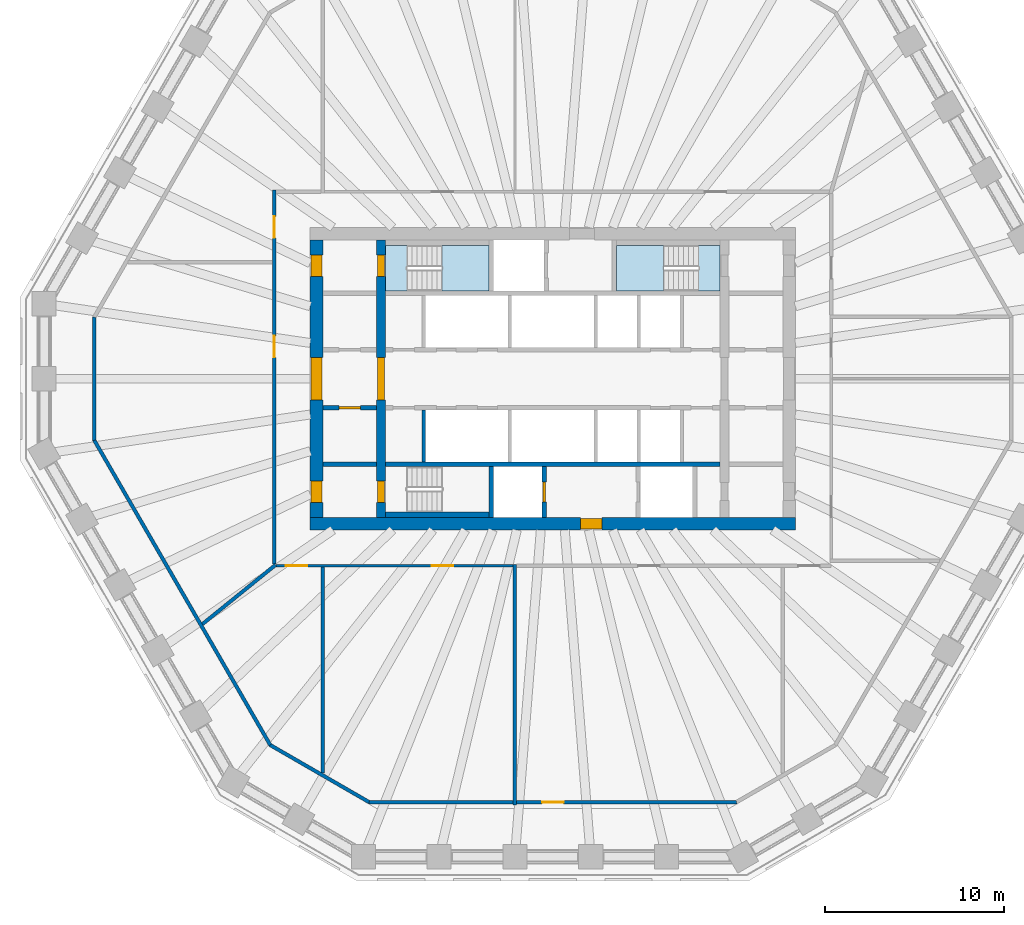
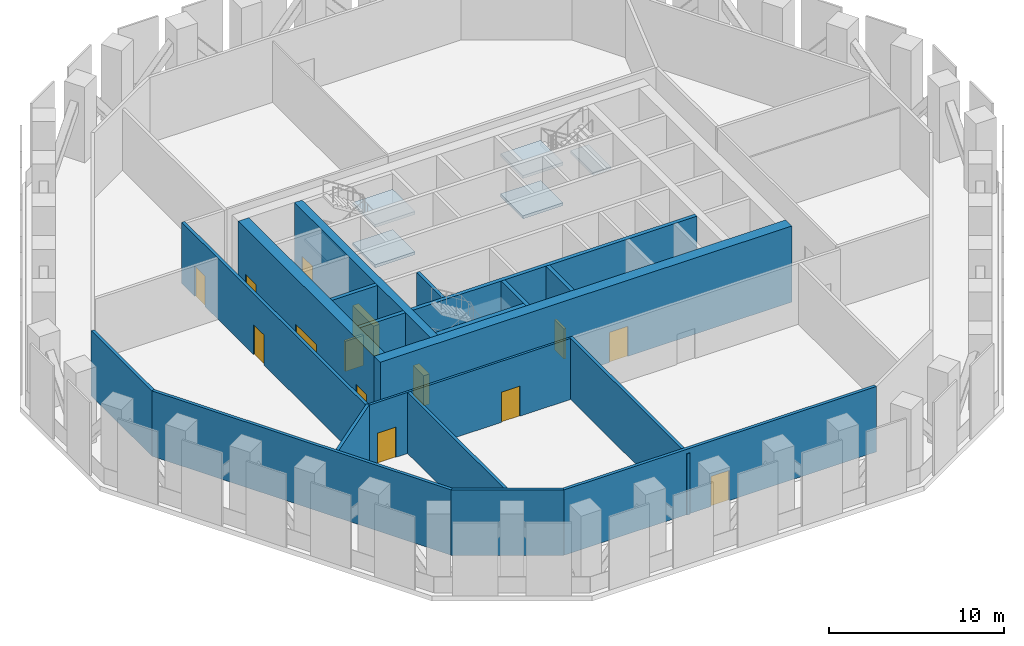
# One storey, part 3 of 8: 19 walls, 14 doors, 6 slabs, 14 openings, 2 elements without a shape of their own.
"""IFC4 building model written with IfcOpenShell, lengths in metres."""

from ifc_helpers import new_model, si_unit, direction, frame, frame_2d, origin, place, context, subcontext, project, spatial, polyline, rectangle, outline, extrude, material, layer, layer_set, type_object, element, fill, aggregate, save


model = new_model("IFC4")

# Units and contexts
model_context = context("Model", 3, precision=1e-05, world=origin(), true_north=direction((0.0, 1.0)))
body_context = subcontext(model_context, "Body", "Model", "MODEL_VIEW")
ifc_project = project(units=[si_unit("LENGTHUNIT", "METRE"), si_unit("AREAUNIT", "SQUARE_METRE"), si_unit("VOLUMEUNIT", "CUBIC_METRE"), si_unit("PLANEANGLEUNIT", "RADIAN"), si_unit("MASSUNIT", "GRAM", prefix="KILO")], contexts=[model_context])

# Site, building, storey
site_placement = place(None, origin())
site = spatial("IfcSite", under=ifc_project, at=site_placement, CompositionType="ELEMENT")
building_placement = place(site_placement, origin())
building = spatial("IfcBuilding", under=site, at=building_placement, Name="Frailejon Research Tower", CompositionType="ELEMENT")
storey_placement = place(building_placement, frame((0.0, 0.0, 139.60009765625)))
storey = spatial("IfcBuildingStorey", under=building, at=storey_placement, Name="L30", CompositionType="ELEMENT", Elevation=139.60009765625)

# Stair, slabs
ifc_material_1 = material(Name="Concrete C50/60", Category="concrete")
stair_type = type_object("IfcStairType", Name="Exit stair 32 risers", PredefinedType="HALF_TURN_STAIR", material=ifc_material_1)
stair_1_placement = place(storey_placement, origin())
stair_1 = element("IfcStair", 1, at=stair_1_placement, inside=storey, type_object=stair_type, Name="L30 Exit stair ST1", PredefinedType="HALF_TURN_STAIR")
ifc_material_2 = material(Name="Concrete C50/60", Category="concrete")
ifc_layer_1 = layer(ifc_material_2, 0.199951171875)
ifc_layer_set_1 = layer_set([ifc_layer_1], Name="Stair landing slab 200")
slab_type = type_object("IfcSlabType", Name="Stair landing slab 200", PredefinedType="LANDING", material=ifc_layer_set_1)
slab_1_placement = place(storey_placement, frame((0.0, 0.0, 1.199951171875)))
slab_1 = element("IfcSlab", 2, at=slab_1_placement, type_object=slab_type, Name="ST1 landing 1", PredefinedType="LANDING", context=body_context, shape_type="SweptSolid", body=[
    extrude(outline(polyline([(-6.18994140625, 4.89990234375), (-3.550048828125, 4.89990234375), (-3.550048828125, 7.449951171875), (-6.18994140625, 7.449951171875), (-6.18994140625, 4.89990234375)])), origin(), (0.0, 0.0, 1.0), 0.199951171875),
])
slab_2_placement = place(storey_placement, frame((0.0, 0.0, 2.599853515625)))
slab_2 = element("IfcSlab", 3, at=slab_2_placement, type_object=slab_type, Name="ST1 landing 2", PredefinedType="LANDING", context=body_context, shape_type="SweptSolid", body=[
    extrude(outline(polyline([(-9.35009765625, 4.89990234375), (-8.14990234375, 4.89990234375), (-8.14990234375, 7.449951171875), (-9.35009765625, 7.449951171875), (-9.35009765625, 4.89990234375)])), origin(), (0.0, 0.0, 1.0), 0.199951171875),
])
slab_3_placement = place(storey_placement, frame((0.0, 0.0, 4.0)))
slab_3 = element("IfcSlab", 4, at=slab_3_placement, type_object=slab_type, Name="ST1 landing 3", PredefinedType="LANDING", context=body_context, shape_type="SweptSolid", body=[
    extrude(outline(polyline([(-6.18994140625, 4.89990234375), (-3.550048828125, 4.89990234375), (-3.550048828125, 7.449951171875), (-6.18994140625, 7.449951171875), (-6.18994140625, 4.89990234375)])), origin(), (0.0, 0.0, 1.0), 0.199951171875),
])
aggregate(stair_1, [slab_1, slab_2, slab_3])

stair_2_placement = place(storey_placement, origin())
stair_2 = element("IfcStair", 5, at=stair_2_placement, inside=storey, type_object=stair_type, Name="L30 Exit stair ST3", PredefinedType="HALF_TURN_STAIR")
slab_4_placement = place(storey_placement, frame((0.0, 0.0, 1.199951171875)))
slab_4 = element("IfcSlab", 6, at=slab_4_placement, type_object=slab_type, Name="ST3 landing 1", PredefinedType="LANDING", context=body_context, shape_type="SweptSolid", body=[
    extrude(outline(polyline([(6.18994140625, 7.449951171875), (3.550048828125, 7.449951171875), (3.550048828125, 4.89990234375), (6.18994140625, 4.89990234375), (6.18994140625, 7.449951171875)])), origin(), (0.0, 0.0, 1.0), 0.199951171875),
])
slab_5_placement = place(storey_placement, frame((0.0, 0.0, 2.599853515625)))
slab_5 = element("IfcSlab", 7, at=slab_5_placement, type_object=slab_type, Name="ST3 landing 2", PredefinedType="LANDING", context=body_context, shape_type="SweptSolid", body=[
    extrude(outline(polyline([(9.35009765625, 7.449951171875), (8.14990234375, 7.449951171875), (8.14990234375, 4.89990234375), (9.35009765625, 4.89990234375), (9.35009765625, 7.449951171875)])), origin(), (0.0, 0.0, 1.0), 0.199951171875),
])
slab_6_placement = place(storey_placement, frame((0.0, 0.0, 4.0)))
slab_6 = element("IfcSlab", 8, at=slab_6_placement, type_object=slab_type, Name="ST3 landing 3", PredefinedType="LANDING", context=body_context, shape_type="SweptSolid", body=[
    extrude(outline(polyline([(6.18994140625, 7.449951171875), (3.550048828125, 7.449951171875), (3.550048828125, 4.89990234375), (6.18994140625, 4.89990234375), (6.18994140625, 7.449951171875)])), origin(), (0.0, 0.0, 1.0), 0.199951171875),
])
aggregate(stair_2, [slab_4, slab_5, slab_6])

# Wall, openings, doors
ifc_material_3 = material(Name="Concrete C60/75", Category="concrete")
ifc_layer_2 = layer(ifc_material_3, 0.5)
ifc_layer_set_2 = layer_set([ifc_layer_2], Name="Core shear wall 500 C60/75")
wall_type_1 = type_object("IfcWallType", Name="Core shear wall 500 C60/75", PredefinedType="SHEAR", material=ifc_layer_set_2)
wall_1_placement = place(storey_placement, frame((-9.60009765625, -7.75, 0.0), z_axis=(0.0, 0.0, 1.0), x_axis=(0.0, 1.0, 0.0)))
wall_1 = element("IfcWall", 9, at=wall_1_placement, inside=storey, type_object=wall_type_1, Name="Core shear wall", PredefinedType="SHEAR", context=body_context, shape_type="SweptSolid", body=[
    extrude(rectangle(XDim=15.5, YDim=0.5, at=frame_2d((7.75, 0.0))), origin(), (0.0, 0.0, 1.0), 5.2998046875),
])
opening_1_placement = place(wall_1_placement, frame((6.550048828125, 0.0, 0.0)))
opening_1 = element("IfcOpeningElement", 10, at=opening_1_placement, cuts=wall_1, Name="Opening D2", PredefinedType="OPENING", context=body_context, shape_type="SweptSolid", body=[
    extrude(rectangle(XDim=2.39990234375, YDim=2.10009765625, at=frame_2d((1.199951171875, 1.050048828125))), frame((0.0, 0.260009765625, 0.0), z_axis=(0.0, -1.0, 0.0), x_axis=(1.0, 0.0, 0.0)), (0.0, 0.0, 1.0), 0.52001953125),
])
opening_2_placement = place(wall_1_placement, frame((13.449951171875, 0.0, 0.0)))
opening_2 = element("IfcOpeningElement", 11, at=opening_2_placement, cuts=wall_1, Name="Opening D1", PredefinedType="OPENING", context=body_context, shape_type="SweptSolid", body=[
    extrude(rectangle(XDim=1.199951171875, YDim=2.10009765625, at=frame_2d((0.60009765625, 1.050048828125))), frame((0.0, 0.260009765625, 0.0), z_axis=(0.0, -1.0, 0.0), x_axis=(1.0, 0.0, 0.0)), (0.0, 0.0, 1.0), 0.52001953125),
])
opening_3_placement = place(wall_1_placement, frame((0.85009765625, 0.0, 0.0)))
opening_3 = element("IfcOpeningElement", 12, at=opening_3_placement, cuts=wall_1, Name="Opening D1", PredefinedType="OPENING", context=body_context, shape_type="SweptSolid", body=[
    extrude(rectangle(XDim=1.199951171875, YDim=2.10009765625, at=frame_2d((0.60009765625, 1.050048828125))), frame((0.0, 0.260009765625, 0.0), z_axis=(0.0, -1.0, 0.0), x_axis=(1.0, 0.0, 0.0)), (0.0, 0.0, 1.0), 0.52001953125),
])
ifc_material_4 = material(Name="Steel", Category="steel")
door_type_1 = type_object("IfcDoorType", Name="Lobby double door", OperationType="DOUBLE_DOOR_SINGLE_SWING", PredefinedType="DOOR", material=ifc_material_4)
door_1_placement = place(opening_1_placement, origin())
door_1 = element("IfcDoor", 13, at=door_1_placement, inside=storey, type_object=door_type_1, Name="Lobby door", OperationType="DOUBLE_DOOR_SINGLE_SWING", OverallHeight=2.10009765625, OverallWidth=2.39990234375, PredefinedType="DOOR", context=body_context, shape_type="SweptSolid", body=[
    extrude(rectangle(XDim=2.39990234375, YDim=2.10009765625, at=frame_2d((1.199951171875, 1.050048828125))), frame((0.0, 0.199951171875, 0.0), z_axis=(0.0, -1.0, 0.0), x_axis=(1.0, 0.0, 0.0)), (0.0, 0.0, 1.0), 0.39990234375),
])
fill(opening_1, door_1)
ifc_material_5 = material(Name="Steel", Category="steel")
door_type_2 = type_object("IfcDoorType", Name="Stair door", OperationType="SINGLE_SWING_LEFT", PredefinedType="DOOR", material=ifc_material_5)
door_2_placement = place(opening_2_placement, origin())
door_2 = element("IfcDoor", 14, at=door_2_placement, inside=storey, type_object=door_type_2, Name="Stair door ST1", OperationType="SINGLE_SWING_RIGHT", OverallHeight=2.10009765625, OverallWidth=1.199951171875, PredefinedType="DOOR", context=body_context, shape_type="SweptSolid", body=[
    extrude(rectangle(XDim=1.199951171875, YDim=2.10009765625, at=frame_2d((0.60009765625, 1.050048828125))), frame((0.0, 0.199951171875, 0.0), z_axis=(0.0, -1.0, 0.0), x_axis=(1.0, 0.0, 0.0)), (0.0, 0.0, 1.0), 0.39990234375),
])
fill(opening_2, door_2)
door_3_placement = place(opening_3_placement, origin())
door_3 = element("IfcDoor", 15, at=door_3_placement, inside=storey, type_object=door_type_2, Name="Stair door ST2", OperationType="SINGLE_SWING_RIGHT", OverallHeight=2.10009765625, OverallWidth=1.199951171875, PredefinedType="DOOR", context=body_context, shape_type="SweptSolid", body=[
    extrude(rectangle(XDim=1.199951171875, YDim=2.10009765625, at=frame_2d((0.60009765625, 1.050048828125))), frame((0.0, 0.199951171875, 0.0), z_axis=(0.0, -1.0, 0.0), x_axis=(1.0, 0.0, 0.0)), (0.0, 0.0, 1.0), 0.39990234375),
])
fill(opening_3, door_3)

# Wall, opening, door
ifc_material_6 = material(Name="Concrete C60/75", Category="concrete")
ifc_layer_3 = layer(ifc_material_6, 0.699951171875)
ifc_layer_set_3 = layer_set([ifc_layer_3], Name="Core shear wall 700 C60/75")
wall_type_2 = type_object("IfcWallType", Name="Core shear wall 700 C60/75", PredefinedType="SHEAR", material=ifc_layer_set_3)
wall_2_placement = place(storey_placement, frame((-13.550048828125, -8.10009765625, 0.0), z_axis=(0.0, 0.0, 1.0), x_axis=(1.0, 0.0, 0.0)))
wall_2 = element("IfcWall", 16, at=wall_2_placement, inside=storey, type_object=wall_type_2, Name="Core shear wall", PredefinedType="SHEAR", context=body_context, shape_type="SweptSolid", body=[
    extrude(rectangle(XDim=27.10009765625, YDim=0.699951171875, at=frame_2d((13.550048828125, 0.0))), origin(), (0.0, 0.0, 1.0), 5.2998046875),
])
opening_4_placement = place(wall_2_placement, frame((15.10009765625, 0.0, 0.0)))
opening_4 = element("IfcOpeningElement", 17, at=opening_4_placement, cuts=wall_2, Name="Opening D3", PredefinedType="OPENING", context=body_context, shape_type="SweptSolid", body=[
    extrude(rectangle(XDim=1.199951171875, YDim=2.10009765625, at=frame_2d((0.60009765625, 1.050048828125))), frame((0.0, 0.35986328125, 0.0), z_axis=(0.0, -1.0, 0.0), x_axis=(1.0, 0.0, 0.0)), (0.0, 0.0, 1.0), 0.719970703125),
])
ifc_material_7 = material(Name="Steel", Category="steel")
door_type_3 = type_object("IfcDoorType", Name="Firefighting lobby door", OperationType="SINGLE_SWING_LEFT", PredefinedType="DOOR", material=ifc_material_7)
door_4_placement = place(opening_4_placement, origin())
door_4 = element("IfcDoor", 18, at=door_4_placement, inside=storey, type_object=door_type_3, Name="Firefighting lobby door", OperationType="SINGLE_SWING_RIGHT", OverallHeight=2.10009765625, OverallWidth=1.199951171875, PredefinedType="DOOR", context=body_context, shape_type="SweptSolid", body=[
    extrude(rectangle(XDim=1.199951171875, YDim=2.10009765625, at=frame_2d((0.60009765625, 1.050048828125))), frame((0.0, 0.300048828125, 0.0), z_axis=(0.0, -1.0, 0.0), x_axis=(1.0, 0.0, 0.0)), (0.0, 0.0, 1.0), 0.60009765625),
])
fill(opening_4, door_4)

# Wall, openings, doors
wall_3_placement = place(storey_placement, frame((-13.199951171875, -7.75, 0.0), z_axis=(0.0, 0.0, 1.0), x_axis=(0.0, 1.0, 0.0)))
wall_3 = element("IfcWall", 19, at=wall_3_placement, inside=storey, type_object=wall_type_2, Name="Core shear wall", PredefinedType="SHEAR", context=body_context, shape_type="SweptSolid", body=[
    extrude(rectangle(XDim=15.5, YDim=0.699951171875, at=frame_2d((7.75, 0.0))), origin(), (0.0, 0.0, 1.0), 5.2998046875),
])
opening_5_placement = place(wall_3_placement, frame((6.550048828125, 0.0, 0.0)))
opening_5 = element("IfcOpeningElement", 20, at=opening_5_placement, cuts=wall_3, Name="Opening D2", PredefinedType="OPENING", context=body_context, shape_type="SweptSolid", body=[
    extrude(rectangle(XDim=2.39990234375, YDim=2.10009765625, at=frame_2d((1.199951171875, 1.050048828125))), frame((0.0, 0.35986328125, 0.0), z_axis=(0.0, -1.0, 0.0), x_axis=(1.0, 0.0, 0.0)), (0.0, 0.0, 1.0), 0.719970703125),
])
opening_6_placement = place(wall_3_placement, frame((13.449951171875, 0.0, 0.0)))
opening_6 = element("IfcOpeningElement", 21, at=opening_6_placement, cuts=wall_3, Name="Opening D7", PredefinedType="OPENING", context=body_context, shape_type="SweptSolid", body=[
    extrude(rectangle(XDim=1.199951171875, YDim=2.10009765625, at=frame_2d((0.60009765625, 1.050048828125))), frame((0.0, 0.35986328125, 0.0), z_axis=(0.0, -1.0, 0.0), x_axis=(1.0, 0.0, 0.0)), (0.0, 0.0, 1.0), 0.719970703125),
])
opening_7_placement = place(wall_3_placement, frame((0.85009765625, 0.0, 0.0)))
opening_7 = element("IfcOpeningElement", 22, at=opening_7_placement, cuts=wall_3, Name="Opening D7", PredefinedType="OPENING", context=body_context, shape_type="SweptSolid", body=[
    extrude(rectangle(XDim=1.199951171875, YDim=2.10009765625, at=frame_2d((0.60009765625, 1.050048828125))), frame((0.0, 0.35986328125, 0.0), z_axis=(0.0, -1.0, 0.0), x_axis=(1.0, 0.0, 0.0)), (0.0, 0.0, 1.0), 0.719970703125),
])
door_5_placement = place(opening_5_placement, origin())
door_5 = element("IfcDoor", 23, at=door_5_placement, inside=storey, type_object=door_type_1, Name="Lobby door", OperationType="DOUBLE_DOOR_SINGLE_SWING", OverallHeight=2.10009765625, OverallWidth=2.39990234375, PredefinedType="DOOR", context=body_context, shape_type="SweptSolid", body=[
    extrude(rectangle(XDim=2.39990234375, YDim=2.10009765625, at=frame_2d((1.199951171875, 1.050048828125))), frame((0.0, 0.300048828125, 0.0), z_axis=(0.0, -1.0, 0.0), x_axis=(1.0, 0.0, 0.0)), (0.0, 0.0, 1.0), 0.60009765625),
])
fill(opening_5, door_5)
ifc_material_8 = material(Name="Steel", Category="steel")
door_type_4 = type_object("IfcDoorType", Name="Stair exit door", OperationType="SINGLE_SWING_LEFT", PredefinedType="DOOR", material=ifc_material_8)
door_6_placement = place(opening_6_placement, origin())
door_6 = element("IfcDoor", 24, at=door_6_placement, inside=storey, type_object=door_type_4, Name="Stair exit door ST1", OperationType="SINGLE_SWING_LEFT", OverallHeight=2.10009765625, OverallWidth=1.199951171875, PredefinedType="DOOR", context=body_context, shape_type="SweptSolid", body=[
    extrude(rectangle(XDim=1.199951171875, YDim=2.10009765625, at=frame_2d((0.60009765625, 1.050048828125))), frame((0.0, 0.300048828125, 0.0), z_axis=(0.0, -1.0, 0.0), x_axis=(1.0, 0.0, 0.0)), (0.0, 0.0, 1.0), 0.60009765625),
])
fill(opening_6, door_6)
door_7_placement = place(opening_7_placement, origin())
door_7 = element("IfcDoor", 25, at=door_7_placement, inside=storey, type_object=door_type_4, Name="Stair exit door ST2", OperationType="SINGLE_SWING_LEFT", OverallHeight=2.10009765625, OverallWidth=1.199951171875, PredefinedType="DOOR", context=body_context, shape_type="SweptSolid", body=[
    extrude(rectangle(XDim=1.199951171875, YDim=2.10009765625, at=frame_2d((0.60009765625, 1.050048828125))), frame((0.0, 0.300048828125, 0.0), z_axis=(0.0, -1.0, 0.0), x_axis=(1.0, 0.0, 0.0)), (0.0, 0.0, 1.0), 0.60009765625),
])
fill(opening_7, door_7)

ifc_material_9 = material(Name="Gypsum board and masonry partition", Category="masonry")
ifc_layer_4 = layer(ifc_material_9, 0.14990234375)
ifc_layer_set_4 = layer_set([ifc_layer_4], Name="Corridor wall EI 60, gypsum on steel studs 150")
wall_type_3 = type_object("IfcWallType", Name="Corridor wall EI 60, gypsum on steel studs 150", PredefinedType="PARTITIONING", material=ifc_layer_set_4)
wall_4_placement = place(storey_placement, frame((-15.449951171875, -10.449951171875, 0.0), z_axis=(0.0, 0.0, 1.0), x_axis=(1.0, 0.0, 0.0)))
wall_4 = element("IfcWall", 26, at=wall_4_placement, inside=storey, type_object=wall_type_3, Name="T:IW:L30:003", PredefinedType="PARTITIONING", context=body_context, shape_type="SweptSolid", body=[
    extrude(rectangle(XDim=13.23388671875, YDim=0.14990234375, at=frame_2d((6.616943359375, 0.0))), origin(), (0.0, 0.0, 1.0), 4.25),
])
opening_8_placement = place(wall_4_placement, frame((0.52783203125, 0.0, 0.0)))
opening_8 = element("IfcOpeningElement", 27, at=opening_8_placement, cuts=wall_4, Name="Opening D1115", PredefinedType="OPENING", context=body_context, shape_type="SweptSolid", body=[
    extrude(rectangle(XDim=1.199951171875, YDim=2.10009765625, at=frame_2d((0.60009765625, 1.050048828125))), frame((0.0, 0.0849609375, 0.0), z_axis=(0.0, -1.0, 0.0), x_axis=(1.0, 0.0, 0.0)), (0.0, 0.0, 1.0), 0.169921875),
])
opening_9_placement = place(wall_4_placement, frame((8.68994140625, 0.0, 0.0)))
opening_9 = element("IfcOpeningElement", 28, at=opening_9_placement, cuts=wall_4, Name="Opening D1116", PredefinedType="OPENING", context=body_context, shape_type="SweptSolid", body=[
    extrude(rectangle(XDim=1.199951171875, YDim=2.10009765625, at=frame_2d((0.60009765625, 1.050048828125))), frame((0.0, 0.0849609375, 0.0), z_axis=(0.0, -1.0, 0.0), x_axis=(1.0, 0.0, 0.0)), (0.0, 0.0, 1.0), 0.169921875),
])
ifc_material_10 = material(Name="Steel door leaf", Category="steel")
door_type_5 = type_object("IfcDoorType", Name="Door plant room, steel 1200", OperationType="NOTDEFINED", PredefinedType="DOOR", material=ifc_material_10)
door_8_placement = place(opening_8_placement, origin())
door_8 = element("IfcDoor", 29, at=door_8_placement, inside=storey, type_object=door_type_5, Name="D1115", OperationType="DOUBLE_DOOR_SINGLE_SWING", OverallHeight=2.10009765625, OverallWidth=1.199951171875, PredefinedType="DOOR", context=body_context, shape_type="SweptSolid", body=[
    extrude(rectangle(XDim=1.199951171875, YDim=2.10009765625, at=frame_2d((0.60009765625, 1.050048828125))), frame((0.0, 0.02490234375, 0.0), z_axis=(0.0, -1.0, 0.0), x_axis=(1.0, 0.0, 0.0)), (0.0, 0.0, 1.0), 0.050048828125),
])
fill(opening_8, door_8)
ifc_material_11 = material(Name="Timber door leaf", Category="wood")
door_type_6 = type_object("IfcDoorType", Name="Door single leaf, timber, steel frame 1200", OperationType="NOTDEFINED", PredefinedType="DOOR", material=ifc_material_11)
door_9_placement = place(opening_9_placement, origin())
door_9 = element("IfcDoor", 30, at=door_9_placement, inside=storey, type_object=door_type_6, Name="D1116", OperationType="DOUBLE_DOOR_SINGLE_SWING", OverallHeight=2.10009765625, OverallWidth=1.199951171875, PredefinedType="DOOR", context=body_context, shape_type="SweptSolid", body=[
    extrude(rectangle(XDim=1.199951171875, YDim=2.10009765625, at=frame_2d((0.60009765625, 1.050048828125))), frame((0.0, 0.02490234375, 0.0), z_axis=(0.0, -1.0, 0.0), x_axis=(1.0, 0.0, 0.0)), (0.0, 0.0, 1.0), 0.050048828125),
])
fill(opening_9, door_9)

# Walls
ifc_material_12 = material(Name="Aluminium louvre panel wall", Category="aluminium")
ifc_layer_5 = layer(ifc_material_12, 0.199951171875)
ifc_layer_set_5 = layer_set([ifc_layer_5], Name="Louvred plant wall 200")
wall_type_4 = type_object("IfcWallType", Name="Louvred plant wall 200", PredefinedType="SOLIDWALL", material=ifc_layer_set_5)
wall_5_placement = place(storey_placement, frame((-25.61279296875, 3.437255859375, 0.0), z_axis=(0.0, 0.0, 1.0), x_axis=(0.0, -1.0, 0.0)))
element("IfcWall", 31, at=wall_5_placement, inside=storey, type_object=wall_type_4, Name="Plant louvre wall L30", PredefinedType="SOLIDWALL", context=body_context, shape_type="SweptSolid", body=[
    extrude(outline(polyline([(-0.02685546875, -0.10009765625), (6.9013671875, -0.10009765625), (6.84765625, 0.10009765625), (0.02685546875, 0.10009765625), (-0.02685546875, -0.10009765625)])), origin(), (0.0, 0.0, 1.0), 4.5498046875),
])
wall_6_placement = place(storey_placement, frame((-25.61279296875, -3.437255859375, 0.0), z_axis=(0.0, 0.0, 1.0), x_axis=(0.499999083763, -0.866025932773, 0.0)))
element("IfcWall", 32, at=wall_6_placement, inside=storey, type_object=wall_type_4, Name="Plant louvre wall L30", PredefinedType="SOLIDWALL", context=body_context, shape_type="SweptSolid", body=[
    extrude(outline(polyline([(-0.02685546875, -0.10009765625), (19.68603515625, -0.10009765625), (19.63232421875, 0.10009765625), (0.02685546875, 0.10009765625), (-0.02685546875, -0.10009765625)])), origin(), (0.0, 0.0, 1.0), 4.5498046875),
])
wall_7_placement = place(storey_placement, frame((-15.783203125, -20.462646484375, 0.0), z_axis=(0.0, 0.0, 1.0), x_axis=(0.866026138243, -0.499998727878, 0.0)))
element("IfcWall", 33, at=wall_7_placement, inside=storey, type_object=wall_type_4, Name="Plant louvre wall L30", PredefinedType="SOLIDWALL", context=body_context, shape_type="SweptSolid", body=[
    extrude(outline(polyline([(-0.02685546875, -0.10009765625), (6.4013671875, -0.10009765625), (6.34765625, 0.10009765625), (0.02685546875, 0.10009765625), (-0.02685546875, -0.10009765625)])), origin(), (0.0, 0.0, 1.0), 4.5498046875),
])

# Wall, opening, door
wall_8_placement = place(storey_placement, frame((-10.2626953125, -23.64990234375, 0.0), z_axis=(0.0, 0.0, 1.0), x_axis=(1.0, 0.0, 0.0)))
wall_8 = element("IfcWall", 34, at=wall_8_placement, inside=storey, type_object=wall_type_4, Name="Plant louvre wall L30", PredefinedType="SOLIDWALL", context=body_context, shape_type="SweptSolid", body=[
    extrude(outline(polyline([(-0.02685546875, -0.10009765625), (20.55224609375, -0.10009765625), (20.49853515625, 0.10009765625), (0.02685546875, 0.10009765625), (-0.02685546875, -0.10009765625)])), origin(), (0.0, 0.0, 1.0), 4.5498046875),
])
opening_10_placement = place(wall_8_placement, frame((9.66259765625, 0.0, 0.0)))
opening_10 = element("IfcOpeningElement", 35, at=opening_10_placement, cuts=wall_8, Name="Opening PG30-2", PredefinedType="OPENING", context=body_context, shape_type="SweptSolid", body=[
    extrude(rectangle(XDim=1.199951171875, YDim=2.10009765625, at=frame_2d((0.60009765625, 1.050048828125))), frame((0.0, 0.10986328125, 0.0), z_axis=(0.0, -1.0, 0.0), x_axis=(1.0, 0.0, 0.0)), (0.0, 0.0, 1.0), 0.219970703125),
])
ifc_material_13 = material(Name="Steel door leaf", Category="steel")
door_type_7 = type_object("IfcDoorType", Name="Plant gallery door 1200x2100", OperationType="SINGLE_SWING_RIGHT", PredefinedType="DOOR", material=ifc_material_13)
door_10_placement = place(opening_10_placement, origin())
door_10 = element("IfcDoor", 36, at=door_10_placement, inside=storey, type_object=door_type_7, Name="Door PG30-2", OperationType="SINGLE_SWING_RIGHT", OverallHeight=2.10009765625, OverallWidth=1.199951171875, PredefinedType="DOOR", context=body_context, shape_type="SweptSolid", body=[
    extrude(rectangle(XDim=1.199951171875, YDim=2.10009765625, at=frame_2d((0.60009765625, 1.050048828125))), frame((0.0, 0.02490234375, 0.0), z_axis=(0.0, -1.0, 0.0), x_axis=(1.0, 0.0, 0.0)), (0.0, 0.0, 1.0), 0.050048828125),
])
fill(opening_10, door_10)

# Wall, openings, doors
ifc_material_14 = material(Name="Gypsum board and masonry partition", Category="masonry")
ifc_layer_6 = layer(ifc_material_14, 0.199951171875)
ifc_layer_set_6 = layer_set([ifc_layer_6], Name="Plant enclosure wall, blockwork 200")
wall_type_5 = type_object("IfcWallType", Name="Plant enclosure wall, blockwork 200", PredefinedType="PARTITIONING", material=ifc_layer_set_6)
wall_9_placement = place(storey_placement, frame((-15.550048828125, -10.35009765625, 0.0), z_axis=(0.0, 0.0, 1.0), x_axis=(0.0, 1.0, 0.0)))
wall_9 = element("IfcWall", 37, at=wall_9_placement, inside=storey, type_object=wall_type_5, Name="T:IW:L30:009", PredefinedType="PARTITIONING", context=body_context, shape_type="SweptSolid", body=[
    extrude(rectangle(XDim=20.900146484375, YDim=0.199951171875, at=frame_2d((10.4501953125, 0.0))), origin(), (0.0, 0.0, 1.0), 4.25),
])
opening_11_placement = place(wall_9_placement, frame((18.226318359375, 0.0, 0.0)))
opening_11 = element("IfcOpeningElement", 38, at=opening_11_placement, cuts=wall_9, Name="Opening D1113", PredefinedType="OPENING", context=body_context, shape_type="SweptSolid", body=[
    extrude(rectangle(XDim=1.199951171875, YDim=2.10009765625, at=frame_2d((0.60009765625, 1.050048828125))), frame((0.0, 0.10986328125, 0.0), z_axis=(0.0, -1.0, 0.0), x_axis=(1.0, 0.0, 0.0)), (0.0, 0.0, 1.0), 0.219970703125),
])
opening_12_placement = place(wall_9_placement, frame((11.539306640625, 0.0, 0.0)))
opening_12 = element("IfcOpeningElement", 39, at=opening_12_placement, cuts=wall_9, Name="Opening D1114", PredefinedType="OPENING", context=body_context, shape_type="SweptSolid", body=[
    extrude(rectangle(XDim=1.199951171875, YDim=2.10009765625, at=frame_2d((0.60009765625, 1.050048828125))), frame((0.0, 0.10986328125, 0.0), z_axis=(0.0, -1.0, 0.0), x_axis=(1.0, 0.0, 0.0)), (0.0, 0.0, 1.0), 0.219970703125),
])
door_11_placement = place(opening_11_placement, origin())
door_11 = element("IfcDoor", 40, at=door_11_placement, inside=storey, type_object=door_type_5, Name="D1113", OperationType="DOUBLE_DOOR_SINGLE_SWING", OverallHeight=2.10009765625, OverallWidth=1.199951171875, PredefinedType="DOOR", context=body_context, shape_type="SweptSolid", body=[
    extrude(rectangle(XDim=1.199951171875, YDim=2.10009765625, at=frame_2d((0.60009765625, 1.050048828125))), frame((0.0, 0.02490234375, 0.0), z_axis=(0.0, -1.0, 0.0), x_axis=(1.0, 0.0, 0.0)), (0.0, 0.0, 1.0), 0.050048828125),
])
fill(opening_11, door_11)
door_12_placement = place(opening_12_placement, origin())
door_12 = element("IfcDoor", 41, at=door_12_placement, inside=storey, type_object=door_type_5, Name="D1114", OperationType="DOUBLE_DOOR_SINGLE_SWING", OverallHeight=2.10009765625, OverallWidth=1.199951171875, PredefinedType="DOOR", context=body_context, shape_type="SweptSolid", body=[
    extrude(rectangle(XDim=1.199951171875, YDim=2.10009765625, at=frame_2d((0.60009765625, 1.050048828125))), frame((0.0, 0.02490234375, 0.0), z_axis=(0.0, -1.0, 0.0), x_axis=(1.0, 0.0, 0.0)), (0.0, 0.0, 1.0), 0.050048828125),
])
fill(opening_12, door_12)

# Walls
wall_10_placement = place(storey_placement, frame((-12.8564453125, -22.037109375, 0.0), z_axis=(0.0, 0.0, 1.0), x_axis=(0.0, 1.0, 0.0)))
element("IfcWall", 42, at=wall_10_placement, inside=storey, type_object=wall_type_5, Name="T:IW:L30:013", PredefinedType="PARTITIONING", context=body_context, shape_type="SweptSolid", body=[
    extrude(rectangle(XDim=11.51220703125, YDim=0.199951171875, at=frame_2d((5.756103515625, 0.0))), origin(), (0.0, 0.0, 1.0), 4.25),
])
wall_11_placement = place(storey_placement, frame((-19.5693359375, -13.705078125, 0.0), z_axis=(0.0, 0.0, 1.0), x_axis=(0.777123499023, 0.629348128834, 0.0)))
element("IfcWall", 43, at=wall_11_placement, inside=storey, type_object=wall_type_5, Name="T:IW:L30:016", PredefinedType="PARTITIONING", context=body_context, shape_type="SweptSolid", body=[
    extrude(rectangle(XDim=5.2470703125, YDim=0.199951171875, at=frame_2d((2.62353515625, 0.0))), origin(), (0.0, 0.0, 1.0), 4.25),
])
wall_12_placement = place(storey_placement, frame((-2.115966796875, -23.800048828125, 0.0), z_axis=(0.0, 0.0, 1.0), x_axis=(0.0, 1.0, 0.0)))
element("IfcWall", 44, at=wall_12_placement, inside=storey, type_object=wall_type_5, Name="T:IW:L30:017", PredefinedType="PARTITIONING", context=body_context, shape_type="SweptSolid", body=[
    extrude(rectangle(XDim=13.425048828125, YDim=0.199951171875, at=frame_2d((6.71240234375, 0.0))), origin(), (0.0, 0.0, 1.0), 4.25),
])
ifc_material_15 = material(Name="Concrete C60/75", Category="concrete")
ifc_layer_7 = layer(ifc_material_15, 0.199951171875)
ifc_layer_set_7 = layer_set([ifc_layer_7], Name="Shaft wall 200 C60/75")
wall_type_6 = type_object("IfcWallType", Name="Shaft wall 200 C60/75", PredefinedType="SOLIDWALL", material=ifc_layer_set_7)
wall_13_placement = place(storey_placement, frame((-7.199951171875, -4.64990234375, 0.0), z_axis=(0.0, 0.0, 1.0), x_axis=(0.0, 1.0, 0.0)))
element("IfcWall", 45, at=wall_13_placement, inside=storey, type_object=wall_type_6, Name="Shaft wall", PredefinedType="SOLIDWALL", context=body_context, shape_type="SweptSolid", body=[
    extrude(rectangle(XDim=2.89990234375, YDim=0.199951171875, at=frame_2d((1.449951171875, 0.0))), origin(), (0.0, 0.0, 1.0), 5.2998046875),
])

# Wall, opening, door
ifc_material_16 = material(Name="Concrete C60/75", Category="concrete")
ifc_layer_8 = layer(ifc_material_16, 0.25)
ifc_layer_set_8 = layer_set([ifc_layer_8], Name="Shaft wall 250 C60/75")
wall_type_7 = type_object("IfcWallType", Name="Shaft wall 250 C60/75", PredefinedType="SOLIDWALL", material=ifc_layer_set_8)
wall_14_placement = place(storey_placement, frame((-12.85009765625, -1.625, 0.0), z_axis=(0.0, 0.0, 1.0), x_axis=(1.0, 0.0, 0.0)))
wall_14 = element("IfcWall", 46, at=wall_14_placement, inside=storey, type_object=wall_type_7, Name="Shaft wall", PredefinedType="SOLIDWALL", context=body_context, shape_type="SweptSolid", body=[
    extrude(rectangle(XDim=3.0, YDim=0.25, at=frame_2d((1.5, 0.0))), origin(), (0.0, 0.0, 1.0), 5.2998046875),
])
opening_13_placement = place(wall_14_placement, frame((0.89990234375, 0.0, 0.0)))
opening_13 = element("IfcOpeningElement", 47, at=opening_13_placement, cuts=wall_14, Name="Opening D6", PredefinedType="OPENING", context=body_context, shape_type="SweptSolid", body=[
    extrude(rectangle(XDim=1.199951171875, YDim=2.10009765625, at=frame_2d((0.60009765625, 1.050048828125))), frame((0.0, 0.135009765625, 0.0), z_axis=(0.0, -1.0, 0.0), x_axis=(1.0, 0.0, 0.0)), (0.0, 0.0, 1.0), 0.27001953125),
])
ifc_material_17 = material(Name="Steel", Category="steel")
door_type_8 = type_object("IfcDoorType", Name="Plant door", OperationType="SINGLE_SWING_LEFT", PredefinedType="DOOR", material=ifc_material_17)
door_13_placement = place(opening_13_placement, origin())
door_13 = element("IfcDoor", 48, at=door_13_placement, inside=storey, type_object=door_type_8, Name="Room door", OperationType="SINGLE_SWING_RIGHT", OverallHeight=2.10009765625, OverallWidth=1.199951171875, PredefinedType="DOOR", context=body_context, shape_type="SweptSolid", body=[
    extrude(rectangle(XDim=1.199951171875, YDim=2.10009765625, at=frame_2d((0.60009765625, 1.050048828125))), frame((0.0, 0.074951171875, 0.0), z_axis=(0.0, -1.0, 0.0), x_axis=(1.0, 0.0, 0.0)), (0.0, 0.0, 1.0), 0.14990234375),
])
fill(opening_13, door_13)

# Walls
wall_15_placement = place(storey_placement, frame((-12.85009765625, -4.77490234375, 0.0), z_axis=(0.0, 0.0, 1.0), x_axis=(1.0, 0.0, 0.0)))
element("IfcWall", 49, at=wall_15_placement, inside=storey, type_object=wall_type_7, Name="Shaft wall", PredefinedType="SOLIDWALL", context=body_context, shape_type="SweptSolid", body=[
    extrude(rectangle(XDim=3.0, YDim=0.25, at=frame_2d((1.5, 0.0))), origin(), (0.0, 0.0, 1.0), 5.2998046875),
])
wall_16_placement = place(storey_placement, frame((-9.35009765625, -4.77490234375, 0.0), z_axis=(0.0, 0.0, 1.0), x_axis=(1.0, 0.0, 0.0)))
element("IfcWall", 50, at=wall_16_placement, inside=storey, type_object=wall_type_7, Name="Shaft wall", PredefinedType="SOLIDWALL", context=body_context, shape_type="SweptSolid", body=[
    extrude(rectangle(XDim=18.7001953125, YDim=0.25, at=frame_2d((9.35009765625, 0.0))), origin(), (0.0, 0.0, 1.0), 5.2998046875),
])
wall_17_placement = place(storey_placement, frame((-3.425048828125, -7.75, 0.0), z_axis=(0.0, 0.0, 1.0), x_axis=(0.0, 1.0, 0.0)))
element("IfcWall", 51, at=wall_17_placement, inside=storey, type_object=wall_type_7, Name="Shaft wall", PredefinedType="SOLIDWALL", context=body_context, shape_type="SweptSolid", body=[
    extrude(rectangle(XDim=2.85009765625, YDim=0.25, at=frame_2d((1.425048828125, 0.0))), origin(), (0.0, 0.0, 1.0), 5.2998046875),
])

# Wall, opening, door
wall_18_placement = place(storey_placement, frame((-0.47509765625, -7.75, 0.0), z_axis=(0.0, 0.0, 1.0), x_axis=(0.0, 1.0, 0.0)))
wall_18 = element("IfcWall", 52, at=wall_18_placement, inside=storey, type_object=wall_type_7, Name="Shaft wall", PredefinedType="SOLIDWALL", context=body_context, shape_type="SweptSolid", body=[
    extrude(rectangle(XDim=2.85009765625, YDim=0.25, at=frame_2d((1.425048828125, 0.0))), origin(), (0.0, 0.0, 1.0), 5.2998046875),
])
opening_14_placement = place(wall_18_placement, frame((0.875, 0.0, 0.0)))
opening_14 = element("IfcOpeningElement", 53, at=opening_14_placement, cuts=wall_18, Name="Opening LD", PredefinedType="OPENING", context=body_context, shape_type="SweptSolid", body=[
    extrude(rectangle(XDim=1.10009765625, YDim=2.10009765625, at=frame_2d((0.550048828125, 1.050048828125))), frame((0.0, 0.135009765625, 0.0), z_axis=(0.0, -1.0, 0.0), x_axis=(1.0, 0.0, 0.0)), (0.0, 0.0, 1.0), 0.27001953125),
])
ifc_material_18 = material(Name="Steel", Category="steel")
door_type_9 = type_object("IfcDoorType", Name="Lift landing door", OperationType="DOUBLE_DOOR_SLIDING", PredefinedType="DOOR", material=ifc_material_18)
door_14_placement = place(opening_14_placement, origin())
door_14 = element("IfcDoor", 54, at=door_14_placement, inside=storey, type_object=door_type_9, Name="Lift landing door", OperationType="DOUBLE_DOOR_SLIDING", OverallHeight=2.10009765625, OverallWidth=1.10009765625, PredefinedType="DOOR", context=body_context, shape_type="SweptSolid", body=[
    extrude(rectangle(XDim=1.10009765625, YDim=2.10009765625, at=frame_2d((0.550048828125, 1.050048828125))), frame((0.0, 0.074951171875, 0.0), z_axis=(0.0, -1.0, 0.0), x_axis=(1.0, 0.0, 0.0)), (0.0, 0.0, 1.0), 0.14990234375),
])
fill(opening_14, door_14)

# Wall
ifc_material_19 = material(Name="Concrete C60/75", Category="concrete")
ifc_layer_9 = layer(ifc_material_19, 0.300048828125)
ifc_layer_set_9 = layer_set([ifc_layer_9], Name="Shaft wall 300 C60/75")
wall_type_8 = type_object("IfcWallType", Name="Shaft wall 300 C60/75", PredefinedType="SOLIDWALL", material=ifc_layer_set_9)
wall_19_placement = place(storey_placement, frame((-9.35009765625, -7.60009765625, 0.0), z_axis=(0.0, 0.0, 1.0), x_axis=(1.0, 0.0, 0.0)))
element("IfcWall", 55, at=wall_19_placement, inside=storey, type_object=wall_type_8, Name="Shaft wall", PredefinedType="SOLIDWALL", context=body_context, shape_type="SweptSolid", body=[
    extrude(rectangle(XDim=5.800048828125, YDim=0.300048828125, at=frame_2d((2.89990234375, 0.0))), origin(), (0.0, 0.0, 1.0), 5.2998046875),
])

save(model, "model.ifc")
